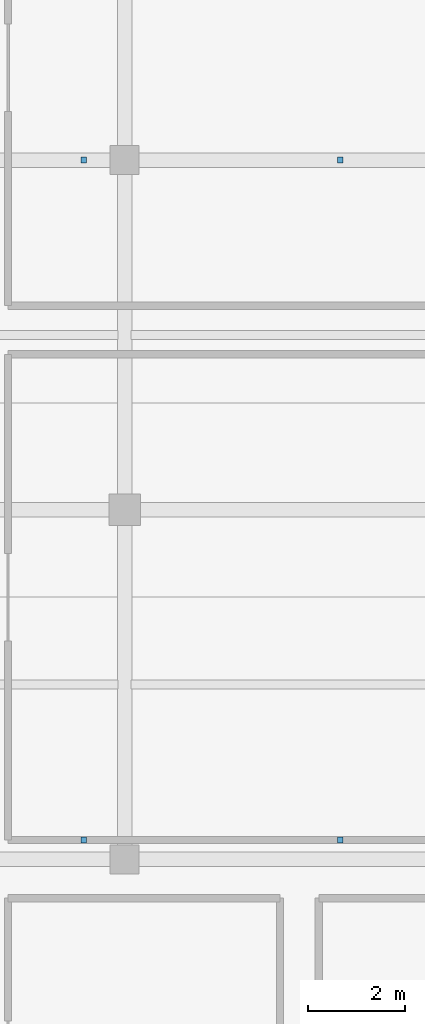
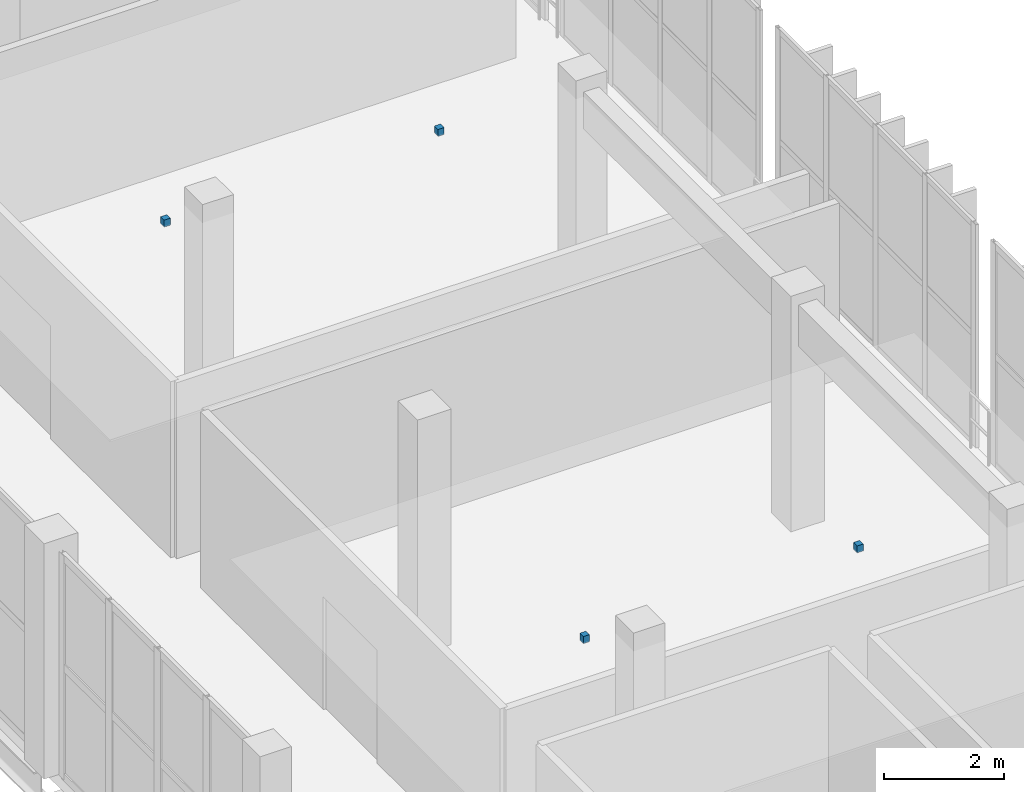
# One storey, part 89 of 105: 4 discrete accessories.
"""IFC4 building model written with IfcOpenShell, lengths in metres."""

from ifc_helpers import new_model, si_unit, direction, frame, origin, origin_2d, place, context, subcontext, project, spatial, rectangle, extrude, material, type_object, element, save


model = new_model("IFC4")

# Units and contexts
model_context = context("Model", 3, precision=1e-05, world=origin(), true_north=direction((0.0, 1.0)))
body_context = subcontext(model_context, "Body", "Model", "MODEL_VIEW")
ifc_project = project(units=[si_unit("LENGTHUNIT", "METRE"), si_unit("AREAUNIT", "SQUARE_METRE"), si_unit("VOLUMEUNIT", "CUBIC_METRE"), si_unit("PLANEANGLEUNIT", "RADIAN"), si_unit("MASSUNIT", "GRAM", prefix="KILO")], contexts=[model_context])

# Site, building, storey
site_placement = place(None, origin())
site = spatial("IfcSite", under=ifc_project, at=site_placement, CompositionType="ELEMENT")
building_placement = place(site_placement, origin())
building = spatial("IfcBuilding", under=site, at=building_placement, Name="Qandorah Velis Arena", CompositionType="ELEMENT")
storey_placement = place(building_placement, frame((0.0, 0.0, 13.800048828125)))
storey = spatial("IfcBuildingStorey", under=building, at=storey_placement, Name="L03", CompositionType="ELEMENT", Elevation=13.800048828125)

# Discrete accessories
ifc_material = material(Name="Stainless steel 316", Category="steel")
discrete_accessory_type = type_object("IfcDiscreteAccessoryType", Name="ARC-ACC-BRK", PredefinedType="BRACKET", material=ifc_material)
for number, where, z_axis, x_axis, name in (
    (1, (157.56005859375, 58.0, 4.41015625), (0.0, 0.0, 1.0), (1.0, 0.0, 0.0), "Ceiling cloud hanger bracket HGR-04.1"),
    (2, (162.840087890625, 58.0, 4.41015625), (0.0, 0.0, 1.0), (1.0, 0.0, 0.0), "Ceiling cloud hanger bracket HGR-04.2"),
    (3, (157.56005859375, 72.0, 4.41015625), (0.0, 0.0, 1.0), (1.0, 0.0, 0.0), "Ceiling cloud hanger bracket HGR-05.1"),
    (4, (162.840087890625, 72.0, 4.41015625), (0.0, 0.0, 1.0), (1.0, 0.0, 0.0), "Ceiling cloud hanger bracket HGR-05.2"),
):
    element("IfcDiscreteAccessory", number, at=place(storey_placement, frame(where, z_axis=z_axis, x_axis=x_axis)), inside=storey, type_object=discrete_accessory_type, Name=name, PredefinedType="BRACKET", context=body_context, shape_type="SweptSolid", body=[
        extrude(rectangle(XDim=0.1201171875, YDim=0.1201171875, at=origin_2d()), origin(), (0.0, 0.0, 1.0), 0.139892578125),
    ])

save(model, "model.ifc")
